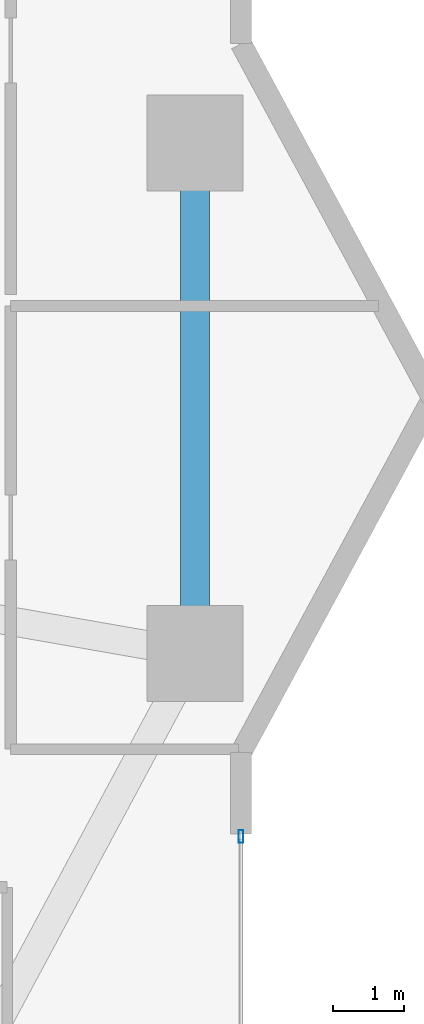
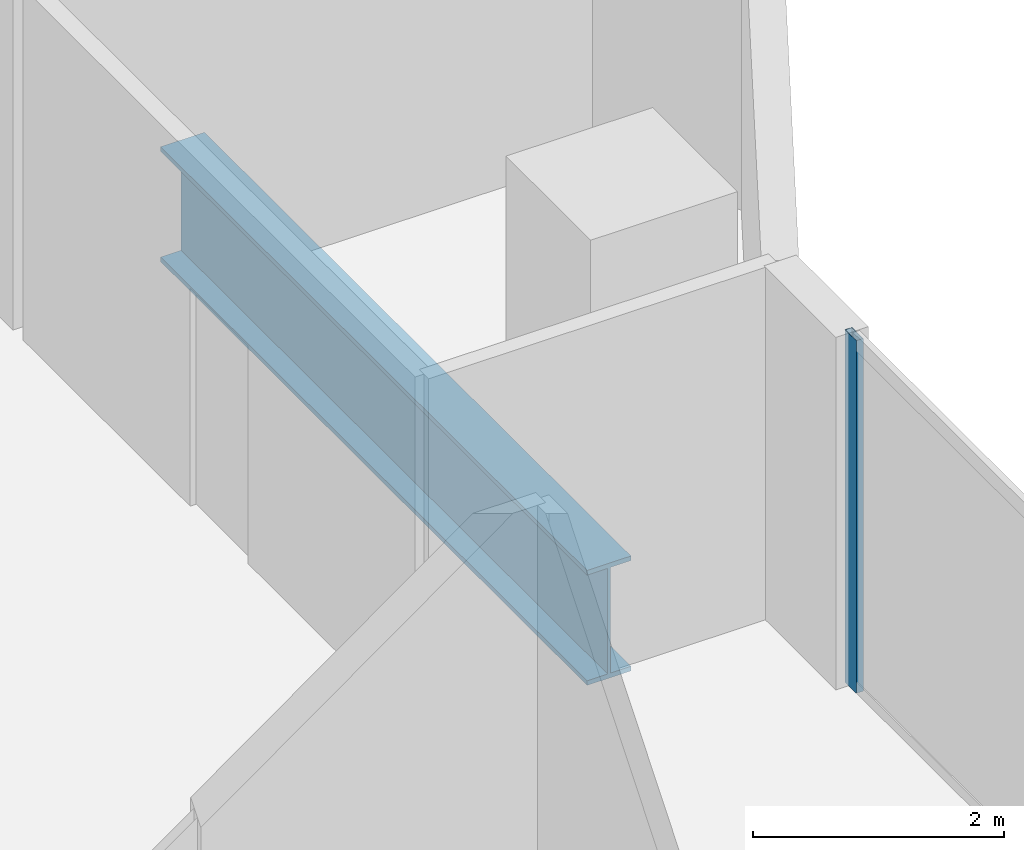
# One storey, part 13 of 29: 1 beam, 1 member, 1 element without a shape of its own.
"""IFC4 building model written with IfcOpenShell, lengths in metres."""

from ifc_helpers import new_model, si_unit, direction, frame, origin, origin_2d, place, context, subcontext, project, spatial, hollow_rectangle, i_section, extrude, material, layer, layer_set, material_profile, profile_set, type_object, element, aggregate, save


model = new_model("IFC4")

# Units and contexts
model_context = context("Model", 3, precision=1e-05, world=origin(), true_north=direction((0.0, 1.0)))
body_context = subcontext(model_context, "Body", "Model", "MODEL_VIEW")
ifc_project = project(units=[si_unit("LENGTHUNIT", "METRE"), si_unit("AREAUNIT", "SQUARE_METRE"), si_unit("VOLUMEUNIT", "CUBIC_METRE"), si_unit("PLANEANGLEUNIT", "RADIAN"), si_unit("MASSUNIT", "GRAM", prefix="KILO")], contexts=[model_context])

# Site, building, storey
site_placement = place(None, origin())
site = spatial("IfcSite", under=ifc_project, at=site_placement, CompositionType="ELEMENT")
building_placement = place(site_placement, origin())
building = spatial("IfcBuilding", under=site, at=building_placement, Name="Zuhayl Quay Hotel", CompositionType="ELEMENT")
storey_placement = place(building_placement, frame((0.0, 0.0, 95.64990234375)))
storey = spatial("IfcBuildingStorey", under=building, at=storey_placement, Name="L23", CompositionType="ELEMENT", Elevation=95.64990234375)

# Beam
ifc_material_1 = material(Name="Steel ASTM A913 Grade 65", Category="steel")
ifc_material_profile_1 = material_profile(ifc_material_1, i_section(OverallWidth=0.404052734375, OverallDepth=1.117919921875, WebThickness=0.026123046875, FlangeThickness=0.044921875, at=origin_2d()), Name="W44X335")
ifc_profile_set_1 = profile_set([ifc_material_profile_1], Name="Steel ASTM A913 Grade 65")
beam_type = type_object("IfcBeamType", Name="BM_TG1_W44X335", PredefinedType="BEAM", material=ifc_profile_set_1)
beam_placement = place(storey_placement, frame((23.25, 3.10009765625, -0.81884765625), z_axis=(0.0, 1.0, 0.0), x_axis=(-1.0, 0.0, 0.0)))
element("IfcBeam", 1, at=beam_placement, inside=storey, type_object=beam_type, Name="L23 Floor Beam RG_L23_05", PredefinedType="BEAM", context=body_context, shape_type="SweptSolid", body=[
    extrude(i_section(OverallWidth=0.404052734375, OverallDepth=1.117919921875, WebThickness=0.026123046875, FlangeThickness=0.044921875, at=origin_2d()), origin(), (0.0, 0.0, 1.0), 6.7998046875),
])

# Curtain wall, member
ifc_material_2 = material(Name="Anodised Aluminium 6063-T6", Category="aluminium")
ifc_layer = layer(ifc_material_2, 0.179931640625, Name="Anodised Aluminium 6063-T6", Category="aluminium")
ifc_layer_set = layer_set([ifc_layer], Name="Anodised Aluminium 6063-T6")
curtain_wall_type = type_object("IfcCurtainWallType", Name="CW_SYS_Z2", PredefinedType="USERDEFINED", material=ifc_layer_set)
curtain_wall_placement = place(storey_placement, origin())
curtain_wall = element("IfcCurtainWall", 2, at=curtain_wall_placement, inside=storey, type_object=curtain_wall_type, Name="L23 Curtain Wall ENV_L23_E14_CW1", ObjectType="UNITISED CURTAIN WALL", PredefinedType="USERDEFINED")
ifc_material_3 = material(Name="Black-anodised aluminium 6063-T6", Category="aluminium")
ifc_material_profile_2 = material_profile(ifc_material_3, hollow_rectangle(XDim=0.06494140625, YDim=0.179931640625, WallThickness=0.00341796875, at=origin_2d()), Name="ALU180X65")
ifc_profile_set_2 = profile_set([ifc_material_profile_2], Name="Black-anodised aluminium 6063-T6")
member_type = type_object("IfcMemberType", Name="MB_CW_MUL_180", PredefinedType="MULLION", material=ifc_profile_set_2)
member_placement = place(storey_placement, frame((23.89990234375, 0.3173828125, 0.0), z_axis=(0.0, 0.0, 1.0), x_axis=(1.0, 0.0, 0.0)))
member = element("IfcMember", 3, at=member_placement, type_object=member_type, Name="CW-Z2 mullion 1", PredefinedType="MULLION", context=body_context, shape_type="SweptSolid", body=[
    extrude(hollow_rectangle(XDim=0.06494140625, YDim=0.179931640625, WallThickness=0.00341796875, at=origin_2d()), origin(), (0.0, 0.0, 1.0), 3.43017578125),
])
aggregate(curtain_wall, [member])

save(model, "model.ifc")
